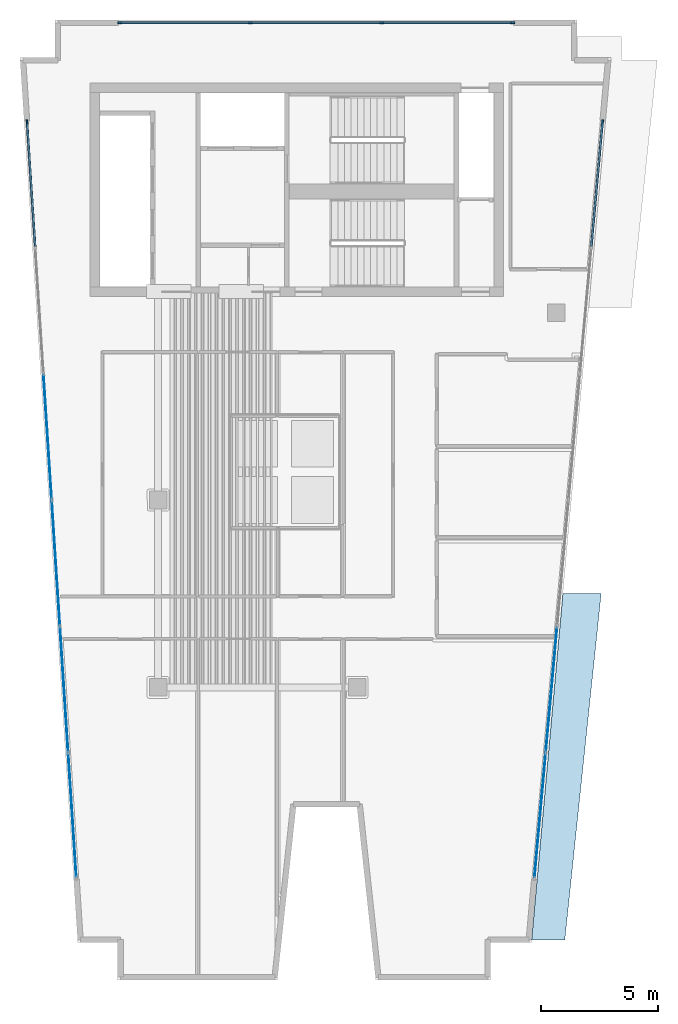
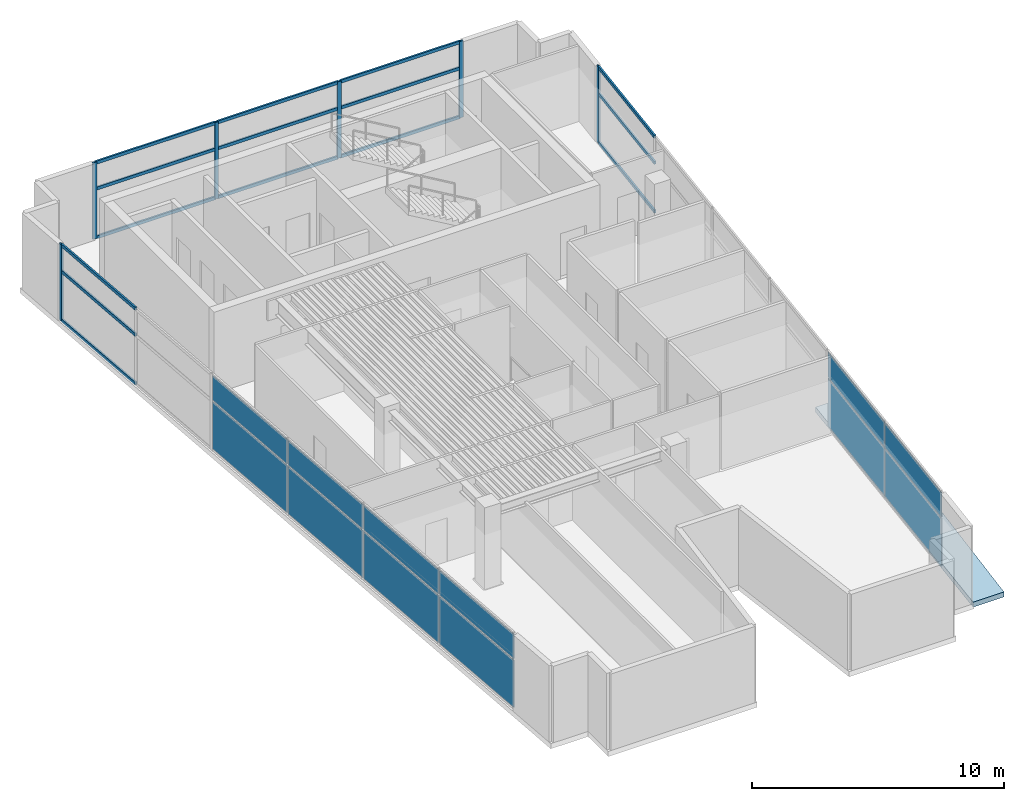
# One storey, part 2 of 7: 21 members, 12 plates, 1 slab, 3 elements without a shape of their own.
"""IFC4 building model written with IfcOpenShell, lengths in metres."""

from ifc_helpers import new_model, si_unit, direction, frame, origin, origin_2d, place, context, subcontext, project, spatial, polyline, rectangle, outline, extrude, material, layer, layer_set, material_profile, profile_set, type_object, element, aggregate, save


model = new_model("IFC4")

# Units and contexts
model_context = context("Model", 3, precision=1e-05, world=origin(), true_north=direction((0.0, 1.0)))
body_context = subcontext(model_context, "Body", "Model", "MODEL_VIEW")
ifc_project = project(units=[si_unit("LENGTHUNIT", "METRE"), si_unit("AREAUNIT", "SQUARE_METRE"), si_unit("VOLUMEUNIT", "CUBIC_METRE"), si_unit("PLANEANGLEUNIT", "RADIAN"), si_unit("MASSUNIT", "GRAM", prefix="KILO")], contexts=[model_context])

# Site, building, storey
site_placement = place(None, origin())
site = spatial("IfcSite", under=ifc_project, at=site_placement, CompositionType="ELEMENT")
building_placement = place(site_placement, origin())
building = spatial("IfcBuilding", under=site, at=building_placement, Name="Caeloran Harvest Quay", CompositionType="ELEMENT")
storey_placement = place(building_placement, frame((0.0, 0.0, 300.14990234375)))
storey = spatial("IfcBuildingStorey", under=building, at=storey_placement, Name="L72", CompositionType="ELEMENT", Elevation=300.14990234375)

# Curtain wall, member
ifc_material_1 = material(Name="Aluminium 6063-T6 and Low-E Glazing", Category="aluminium")
ifc_layer_1 = layer(ifc_material_1, 0.239990234375, Name="Aluminium 6063-T6 and Low-E Glazing")
ifc_layer_set_1 = layer_set([ifc_layer_1], Name="Aluminium 6063-T6 and Low-E Glazing")
curtain_wall_type = type_object("IfcCurtainWallType", Name="CW-SYS-CW-7", PredefinedType="USERDEFINED", material=ifc_layer_set_1)
curtain_wall_1_placement = place(storey_placement, origin())
curtain_wall_1 = element("IfcCurtainWall", 1, at=curtain_wall_1_placement, inside=storey, type_object=curtain_wall_type, Name="L72 Unitised Curtain Wall CW-7 Run 3", ObjectType="CURTAIN_WALL", PredefinedType="USERDEFINED")
ifc_material_2 = material(Name="Aluminium 6063-T6", Category="aluminium")
ifc_material_profile_1 = material_profile(ifc_material_2, rectangle(XDim=0.080078125, YDim=0.179931640625, at=origin_2d()), Name="CW-MULLION-180")
ifc_profile_set_1 = profile_set([ifc_material_profile_1], Name="Aluminium 6063-T6")
member_type_1 = type_object("IfcMemberType", Name="CW-MULLION-180", PredefinedType="MULLION", material=ifc_profile_set_1)
member_1_placement = place(storey_placement, frame((2.904541015625, 39.1455078125, 0.0), z_axis=(0.0, 0.0, 1.0), x_axis=(-0.997874401106, -0.065166552901, 0.0)))
member_1 = element("IfcMember", 2, at=member_1_placement, type_object=member_type_1, Name="CW-7 mullion 7", PredefinedType="MULLION", context=body_context, shape_type="SweptSolid", body=[
    extrude(rectangle(XDim=0.080078125, YDim=0.179931640625, at=origin_2d()), origin(), (0.0, 0.0, 1.0), 3.7001953125),
])

# Curtain wall, members
curtain_wall_2_placement = place(storey_placement, origin())
curtain_wall_2 = element("IfcCurtainWall", 3, at=curtain_wall_2_placement, inside=storey, type_object=curtain_wall_type, Name="L72 Unitised Curtain Wall CW-7 Run 6", ObjectType="CURTAIN_WALL", PredefinedType="USERDEFINED")
member_2_placement = place(storey_placement, frame((6.860107421875, 43.3798828125, 0.0), z_axis=(0.0, 0.0, 1.0), x_axis=(0.0, 1.0, 0.0)))
member_2 = element("IfcMember", 4, at=member_2_placement, type_object=member_type_1, Name="CW-7 mullion 1", PredefinedType="MULLION", context=body_context, shape_type="SweptSolid", body=[
    extrude(rectangle(XDim=0.080078125, YDim=0.179931640625, at=origin_2d()), origin(), (0.0, 0.0, 1.0), 3.7001953125),
])
member_3_placement = place(storey_placement, frame((12.43994140625, 43.3798828125, 0.0), z_axis=(0.0, 0.0, 1.0), x_axis=(0.0, 1.0, 0.0)))
member_3 = element("IfcMember", 5, at=member_3_placement, type_object=member_type_1, Name="CW-7 mullion 2", PredefinedType="MULLION", context=body_context, shape_type="SweptSolid", body=[
    extrude(rectangle(XDim=0.080078125, YDim=0.179931640625, at=origin_2d()), origin(), (0.0, 0.0, 1.0), 3.7001953125),
])
member_4_placement = place(storey_placement, frame((18.06005859375, 43.3798828125, 0.0), z_axis=(0.0, 0.0, 1.0), x_axis=(0.0, 1.0, 0.0)))
member_4 = element("IfcMember", 6, at=member_4_placement, type_object=member_type_1, Name="CW-7 mullion 3", PredefinedType="MULLION", context=body_context, shape_type="SweptSolid", body=[
    extrude(rectangle(XDim=0.080078125, YDim=0.179931640625, at=origin_2d()), origin(), (0.0, 0.0, 1.0), 3.7001953125),
])
member_5_placement = place(storey_placement, frame((23.639892578125, 43.3798828125, 0.0), z_axis=(0.0, 0.0, 1.0), x_axis=(0.0, 1.0, 0.0)))
member_5 = element("IfcMember", 7, at=member_5_placement, type_object=member_type_1, Name="CW-7 mullion 4", PredefinedType="MULLION", context=body_context, shape_type="SweptSolid", body=[
    extrude(rectangle(XDim=0.080078125, YDim=0.179931640625, at=origin_2d()), origin(), (0.0, 0.0, 1.0), 3.7001953125),
])

# Curtain wall, member
curtain_wall_3_placement = place(storey_placement, origin())
curtain_wall_3 = element("IfcCurtainWall", 8, at=curtain_wall_3_placement, inside=storey, type_object=curtain_wall_type, Name="L72 Unitised Curtain Wall CW-7 Run 9", ObjectType="CURTAIN_WALL", PredefinedType="USERDEFINED")
member_6_placement = place(storey_placement, frame((27.4873046875, 39.150634765625, 0.0), z_axis=(0.0, 0.0, 1.0), x_axis=(0.995957918918, -0.089821065146, 0.0)))
member_6 = element("IfcMember", 9, at=member_6_placement, type_object=member_type_1, Name="CW-7 mullion 1", PredefinedType="MULLION", context=body_context, shape_type="SweptSolid", body=[
    extrude(rectangle(XDim=0.080078125, YDim=0.179931640625, at=origin_2d()), origin(), (0.0, 0.0, 1.0), 3.7001953125),
])

# Member
ifc_material_profile_2 = material_profile(ifc_material_2, rectangle(XDim=0.080078125, YDim=0.14990234375, at=origin_2d()), Name="CW-TRANSOM-150")
ifc_profile_set_2 = profile_set([ifc_material_profile_2], Name="Aluminium 6063-T6")
member_type_2 = type_object("IfcMemberType", Name="CW-TRANSOM-150", PredefinedType="USERDEFINED", material=ifc_profile_set_2)
member_7_placement = place(storey_placement, frame((3.251708984375, 33.830322265625, 0.0400390625), z_axis=(-0.065161110765, 0.997874756492, 0.0), x_axis=(-0.997874756492, -0.065161110765, 0.0)))
member_7 = element("IfcMember", 10, at=member_7_placement, type_object=member_type_2, Name="CW-7 transom 6.1", ObjectType="TRANSOM", PredefinedType="USERDEFINED", context=body_context, shape_type="SweptSolid", body=[
    extrude(rectangle(XDim=0.080078125, YDim=0.14990234375, at=origin_2d()), origin(), (0.0, 0.0, 1.0), 5.28662109375),
])

member_8_placement = place(storey_placement, frame((3.251708984375, 33.830322265625, 2.400146484375), z_axis=(-0.065161110765, 0.997874756492, 0.0), x_axis=(-0.997874756492, -0.065161110765, 0.0)))
member_8 = element("IfcMember", 11, at=member_8_placement, type_object=member_type_2, Name="CW-7 transom 6.2", ObjectType="TRANSOM", PredefinedType="USERDEFINED", context=body_context, shape_type="SweptSolid", body=[
    extrude(rectangle(XDim=0.080078125, YDim=0.14990234375, at=origin_2d()), origin(), (0.0, 0.0, 1.0), 5.28662109375),
])

member_9_placement = place(storey_placement, frame((3.251708984375, 33.830322265625, 3.66015625), z_axis=(-0.065161110765, 0.997874756492, 0.0), x_axis=(-0.997874756492, -0.065161110765, 0.0)))
member_9 = element("IfcMember", 12, at=member_9_placement, type_object=member_type_2, Name="CW-7 transom 6.3", ObjectType="TRANSOM", PredefinedType="USERDEFINED", context=body_context, shape_type="SweptSolid", body=[
    extrude(rectangle(XDim=0.080078125, YDim=0.14990234375, at=origin_2d()), origin(), (0.0, 0.0, 1.0), 5.28662109375),
])

member_10_placement = place(storey_placement, frame((6.89990234375, 43.3798828125, 0.0400390625), z_axis=(1.0, 0.0, 0.0), x_axis=(0.0, 1.0, 0.0)))
member_10 = element("IfcMember", 13, at=member_10_placement, type_object=member_type_2, Name="CW-7 transom 1.1", ObjectType="TRANSOM", PredefinedType="USERDEFINED", context=body_context, shape_type="SweptSolid", body=[
    extrude(rectangle(XDim=0.080078125, YDim=0.14990234375, at=origin_2d()), origin(), (0.0, 0.0, 1.0), 5.5),
])

member_11_placement = place(storey_placement, frame((6.89990234375, 43.3798828125, 2.400146484375), z_axis=(1.0, 0.0, 0.0), x_axis=(0.0, 1.0, 0.0)))
member_11 = element("IfcMember", 14, at=member_11_placement, type_object=member_type_2, Name="CW-7 transom 1.2", ObjectType="TRANSOM", PredefinedType="USERDEFINED", context=body_context, shape_type="SweptSolid", body=[
    extrude(rectangle(XDim=0.080078125, YDim=0.14990234375, at=origin_2d()), origin(), (0.0, 0.0, 1.0), 5.5),
])

member_12_placement = place(storey_placement, frame((6.89990234375, 43.3798828125, 3.66015625), z_axis=(1.0, 0.0, 0.0), x_axis=(0.0, 1.0, 0.0)))
member_12 = element("IfcMember", 15, at=member_12_placement, type_object=member_type_2, Name="CW-7 transom 1.3", ObjectType="TRANSOM", PredefinedType="USERDEFINED", context=body_context, shape_type="SweptSolid", body=[
    extrude(rectangle(XDim=0.080078125, YDim=0.14990234375, at=origin_2d()), origin(), (0.0, 0.0, 1.0), 5.5),
])

member_13_placement = place(storey_placement, frame((12.47998046875, 43.3798828125, 0.0400390625), z_axis=(1.0, 0.0, 0.0), x_axis=(0.0, 1.0, 0.0)))
member_13 = element("IfcMember", 16, at=member_13_placement, type_object=member_type_2, Name="CW-7 transom 2.1", ObjectType="TRANSOM", PredefinedType="USERDEFINED", context=body_context, shape_type="SweptSolid", body=[
    extrude(rectangle(XDim=0.080078125, YDim=0.14990234375, at=origin_2d()), origin(), (0.0, 0.0, 1.0), 5.5400390625),
])

member_14_placement = place(storey_placement, frame((12.47998046875, 43.3798828125, 2.400146484375), z_axis=(1.0, 0.0, 0.0), x_axis=(0.0, 1.0, 0.0)))
member_14 = element("IfcMember", 17, at=member_14_placement, type_object=member_type_2, Name="CW-7 transom 2.2", ObjectType="TRANSOM", PredefinedType="USERDEFINED", context=body_context, shape_type="SweptSolid", body=[
    extrude(rectangle(XDim=0.080078125, YDim=0.14990234375, at=origin_2d()), origin(), (0.0, 0.0, 1.0), 5.5400390625),
])

member_15_placement = place(storey_placement, frame((12.47998046875, 43.3798828125, 3.66015625), z_axis=(1.0, 0.0, 0.0), x_axis=(0.0, 1.0, 0.0)))
member_15 = element("IfcMember", 18, at=member_15_placement, type_object=member_type_2, Name="CW-7 transom 2.3", ObjectType="TRANSOM", PredefinedType="USERDEFINED", context=body_context, shape_type="SweptSolid", body=[
    extrude(rectangle(XDim=0.080078125, YDim=0.14990234375, at=origin_2d()), origin(), (0.0, 0.0, 1.0), 5.5400390625),
])

member_16_placement = place(storey_placement, frame((18.10009765625, 43.3798828125, 0.0400390625), z_axis=(1.0, 0.0, 0.0), x_axis=(0.0, 1.0, 0.0)))
member_16 = element("IfcMember", 19, at=member_16_placement, type_object=member_type_2, Name="CW-7 transom 3.1", ObjectType="TRANSOM", PredefinedType="USERDEFINED", context=body_context, shape_type="SweptSolid", body=[
    extrude(rectangle(XDim=0.080078125, YDim=0.14990234375, at=origin_2d()), origin(), (0.0, 0.0, 1.0), 5.5),
])

member_17_placement = place(storey_placement, frame((18.10009765625, 43.3798828125, 2.400146484375), z_axis=(1.0, 0.0, 0.0), x_axis=(0.0, 1.0, 0.0)))
member_17 = element("IfcMember", 20, at=member_17_placement, type_object=member_type_2, Name="CW-7 transom 3.2", ObjectType="TRANSOM", PredefinedType="USERDEFINED", context=body_context, shape_type="SweptSolid", body=[
    extrude(rectangle(XDim=0.080078125, YDim=0.14990234375, at=origin_2d()), origin(), (0.0, 0.0, 1.0), 5.5),
])

member_18_placement = place(storey_placement, frame((18.10009765625, 43.3798828125, 3.66015625), z_axis=(1.0, 0.0, 0.0), x_axis=(0.0, 1.0, 0.0)))
member_18 = element("IfcMember", 21, at=member_18_placement, type_object=member_type_2, Name="CW-7 transom 3.3", ObjectType="TRANSOM", PredefinedType="USERDEFINED", context=body_context, shape_type="SweptSolid", body=[
    extrude(rectangle(XDim=0.080078125, YDim=0.14990234375, at=origin_2d()), origin(), (0.0, 0.0, 1.0), 5.5),
])

aggregate(curtain_wall_2, [member_2, member_3, member_4, member_5, member_10, member_11, member_12, member_13, member_14, member_15, member_16, member_17, member_18])

member_19_placement = place(storey_placement, frame((27.483642578125, 39.11083984375, 0.0400390625), z_axis=(-0.089800407778, -0.995959781699, 0.0), x_axis=(0.995959781699, -0.089800407778, 0.0)))
member_19 = element("IfcMember", 22, at=member_19_placement, type_object=member_type_2, Name="CW-7 transom 1.1", ObjectType="TRANSOM", PredefinedType="USERDEFINED", context=body_context, shape_type="SweptSolid", body=[
    extrude(rectangle(XDim=0.080078125, YDim=0.14990234375, at=origin_2d()), origin(), (0.0, 0.0, 1.0), 5.298828125),
])

member_20_placement = place(storey_placement, frame((27.483642578125, 39.11083984375, 2.400146484375), z_axis=(-0.089800407778, -0.995959781699, 0.0), x_axis=(0.995959781699, -0.089800407778, 0.0)))
member_20 = element("IfcMember", 23, at=member_20_placement, type_object=member_type_2, Name="CW-7 transom 1.2", ObjectType="TRANSOM", PredefinedType="USERDEFINED", context=body_context, shape_type="SweptSolid", body=[
    extrude(rectangle(XDim=0.080078125, YDim=0.14990234375, at=origin_2d()), origin(), (0.0, 0.0, 1.0), 5.298828125),
])

member_21_placement = place(storey_placement, frame((27.483642578125, 39.11083984375, 3.66015625), z_axis=(-0.089800407778, -0.995959781699, 0.0), x_axis=(0.995959781699, -0.089800407778, 0.0)))
member_21 = element("IfcMember", 24, at=member_21_placement, type_object=member_type_2, Name="CW-7 transom 1.3", ObjectType="TRANSOM", PredefinedType="USERDEFINED", context=body_context, shape_type="SweptSolid", body=[
    extrude(rectangle(XDim=0.080078125, YDim=0.14990234375, at=origin_2d()), origin(), (0.0, 0.0, 1.0), 5.298828125),
])

# Plate
ifc_material_3 = material(Name="Low-E Double Glazed Vision Glass Unit", Category="glass")
ifc_layer_2 = layer(ifc_material_3, 0.035888671875, Name="Low-E Double Glazed Vision Glass Unit")
ifc_layer_set_2 = layer_set([ifc_layer_2], Name="Low-E Double Glazed Vision Glass Unit")
plate_type = type_object("IfcPlateType", Name="CW-VISION-PANEL", PredefinedType="CURTAIN_PANEL", material=ifc_layer_set_2)
plate_1_placement = place(storey_placement, frame((4.838623046875, 9.531982421875, 0.080078125), z_axis=(0.0, 0.0, 1.0), x_axis=(-0.065166552901, 0.997874401106, 0.0)))
plate_1 = element("IfcPlate", 25, at=plate_1_placement, type_object=plate_type, Name="CW-7 panel 1.1", PredefinedType="CURTAIN_PANEL", context=body_context, shape_type="SweptSolid", body=[
    extrude(rectangle(XDim=5.28662109375, YDim=0.035888671875, at=origin_2d()), origin(), (0.0, 0.0, 1.0), 2.280029296875),
])

plate_2_placement = place(storey_placement, frame((4.838623046875, 9.531982421875, 2.43994140625), z_axis=(0.0, 0.0, 1.0), x_axis=(-0.065166552901, 0.997874401106, 0.0)))
plate_2 = element("IfcPlate", 26, at=plate_2_placement, type_object=plate_type, Name="CW-7 panel 1.2", PredefinedType="CURTAIN_PANEL", context=body_context, shape_type="SweptSolid", body=[
    extrude(rectangle(XDim=5.28662109375, YDim=0.035888671875, at=origin_2d()), origin(), (0.0, 0.0, 1.0), 1.179931640625),
])

plate_3_placement = place(storey_placement, frame((4.487548828125, 14.9072265625, 0.080078125), z_axis=(0.0, 0.0, 1.0), x_axis=(-0.065166552901, 0.997874401106, 0.0)))
plate_3 = element("IfcPlate", 27, at=plate_3_placement, type_object=plate_type, Name="CW-7 panel 2.1", PredefinedType="CURTAIN_PANEL", context=body_context, shape_type="SweptSolid", body=[
    extrude(rectangle(XDim=5.32666015625, YDim=0.035888671875, at=origin_2d()), origin(), (0.0, 0.0, 1.0), 2.280029296875),
])

plate_4_placement = place(storey_placement, frame((4.487548828125, 14.9072265625, 2.43994140625), z_axis=(0.0, 0.0, 1.0), x_axis=(-0.065166552901, 0.997874401106, 0.0)))
plate_4 = element("IfcPlate", 28, at=plate_4_placement, type_object=plate_type, Name="CW-7 panel 2.2", PredefinedType="CURTAIN_PANEL", context=body_context, shape_type="SweptSolid", body=[
    extrude(rectangle(XDim=5.32666015625, YDim=0.035888671875, at=origin_2d()), origin(), (0.0, 0.0, 1.0), 1.179931640625),
])

plate_5_placement = place(storey_placement, frame((4.13525390625, 20.302490234375, 0.080078125), z_axis=(0.0, 0.0, 1.0), x_axis=(-0.065166552901, 0.997874401106, 0.0)))
plate_5 = element("IfcPlate", 29, at=plate_5_placement, type_object=plate_type, Name="CW-7 panel 3.1", PredefinedType="CURTAIN_PANEL", context=body_context, shape_type="SweptSolid", body=[
    extrude(rectangle(XDim=5.32666015625, YDim=0.035888671875, at=origin_2d()), origin(), (0.0, 0.0, 1.0), 2.280029296875),
])

plate_6_placement = place(storey_placement, frame((4.13525390625, 20.302490234375, 2.43994140625), z_axis=(0.0, 0.0, 1.0), x_axis=(-0.065166552901, 0.997874401106, 0.0)))
plate_6 = element("IfcPlate", 30, at=plate_6_placement, type_object=plate_type, Name="CW-7 panel 3.2", PredefinedType="CURTAIN_PANEL", context=body_context, shape_type="SweptSolid", body=[
    extrude(rectangle(XDim=5.32666015625, YDim=0.035888671875, at=origin_2d()), origin(), (0.0, 0.0, 1.0), 1.179931640625),
])

plate_7_placement = place(storey_placement, frame((3.78271484375, 25.697509765625, 0.080078125), z_axis=(0.0, 0.0, 1.0), x_axis=(-0.065166552901, 0.997874401106, 0.0)))
plate_7 = element("IfcPlate", 31, at=plate_7_placement, type_object=plate_type, Name="CW-7 panel 4.1", PredefinedType="CURTAIN_PANEL", context=body_context, shape_type="SweptSolid", body=[
    extrude(rectangle(XDim=5.32666015625, YDim=0.035888671875, at=origin_2d()), origin(), (0.0, 0.0, 1.0), 2.280029296875),
])

plate_8_placement = place(storey_placement, frame((3.78271484375, 25.697509765625, 2.43994140625), z_axis=(0.0, 0.0, 1.0), x_axis=(-0.065166552901, 0.997874401106, 0.0)))
plate_8 = element("IfcPlate", 32, at=plate_8_placement, type_object=plate_type, Name="CW-7 panel 4.2", PredefinedType="CURTAIN_PANEL", context=body_context, shape_type="SweptSolid", body=[
    extrude(rectangle(XDim=5.32666015625, YDim=0.035888671875, at=origin_2d()), origin(), (0.0, 0.0, 1.0), 1.179931640625),
])

aggregate(curtain_wall_1, [member_1, plate_1, plate_2, plate_3, plate_4, plate_5, plate_6, plate_7, plate_8, member_7, member_8, member_9])

plate_9_placement = place(storey_placement, frame((25.30078125, 14.90478515625, 0.080078125), z_axis=(0.0, 0.0, 1.0), x_axis=(-0.089821065146, -0.995957918918, 0.0)))
plate_9 = element("IfcPlate", 33, at=plate_9_placement, type_object=plate_type, Name="CW-7 panel 5.1", PredefinedType="CURTAIN_PANEL", context=body_context, shape_type="SweptSolid", body=[
    extrude(rectangle(XDim=5.338623046875, YDim=0.035888671875, at=origin_2d()), origin(), (0.0, 0.0, 1.0), 2.280029296875),
])

plate_10_placement = place(storey_placement, frame((25.30078125, 14.90478515625, 2.43994140625), z_axis=(0.0, 0.0, 1.0), x_axis=(-0.089821065146, -0.995957918918, 0.0)))
plate_10 = element("IfcPlate", 34, at=plate_10_placement, type_object=plate_type, Name="CW-7 panel 5.2", PredefinedType="CURTAIN_PANEL", context=body_context, shape_type="SweptSolid", body=[
    extrude(rectangle(XDim=5.338623046875, YDim=0.035888671875, at=origin_2d()), origin(), (0.0, 0.0, 1.0), 1.179931640625),
])

plate_11_placement = place(storey_placement, frame((24.815673828125, 9.52783203125, 0.080078125), z_axis=(0.0, 0.0, 1.0), x_axis=(-0.089821065146, -0.995957918918, 0.0)))
plate_11 = element("IfcPlate", 35, at=plate_11_placement, type_object=plate_type, Name="CW-7 panel 6.1", PredefinedType="CURTAIN_PANEL", context=body_context, shape_type="SweptSolid", body=[
    extrude(rectangle(XDim=5.298828125, YDim=0.035888671875, at=origin_2d()), origin(), (0.0, 0.0, 1.0), 2.280029296875),
])

plate_12_placement = place(storey_placement, frame((24.815673828125, 9.52783203125, 2.43994140625), z_axis=(0.0, 0.0, 1.0), x_axis=(-0.089821065146, -0.995957918918, 0.0)))
plate_12 = element("IfcPlate", 36, at=plate_12_placement, type_object=plate_type, Name="CW-7 panel 6.2", PredefinedType="CURTAIN_PANEL", context=body_context, shape_type="SweptSolid", body=[
    extrude(rectangle(XDim=5.298828125, YDim=0.035888671875, at=origin_2d()), origin(), (0.0, 0.0, 1.0), 1.179931640625),
])

aggregate(curtain_wall_3, [member_6, member_19, member_20, member_21, plate_9, plate_10, plate_11, plate_12])

# Slab
ifc_material_4 = material(Name="Concrete C50/60", Category="concrete")
ifc_layer_3 = layer(ifc_material_4, 0.239990234375, Name="Concrete C50/60")
ifc_layer_set_3 = layer_set([ifc_layer_3], Name="Concrete C50/60")
slab_type = type_object("IfcSlabType", Name="SLAB-TR-240", PredefinedType="ROOF", material=ifc_layer_set_3)
slab_placement = place(storey_placement, frame((0.0, 0.0, -0.239990234375)))
element("IfcSlab", 37, at=slab_placement, inside=storey, type_object=slab_type, Name="L72 Step-Back Roof Slab 1", PredefinedType="ROOF", context=body_context, shape_type="SweptSolid", body=[
    extrude(outline(polyline([(25.8720703125, 4.199951171875), (24.455810546875, 4.199951171875), (25.79052734375, 19.0), (27.426513671875, 19.0), (25.8720703125, 4.199951171875)])), origin(), (0.0, 0.0, 1.0), 0.239990234375),
])

save(model, "model.ifc")
